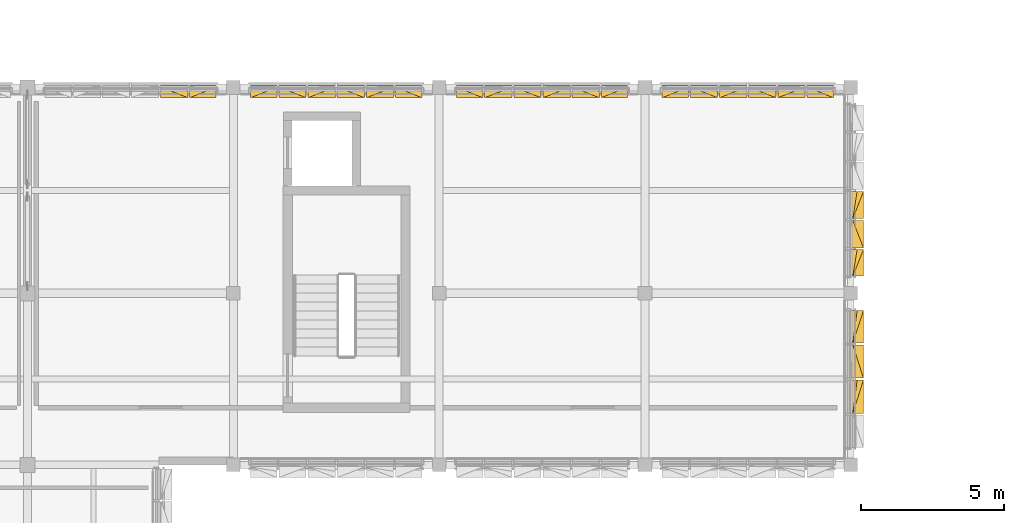
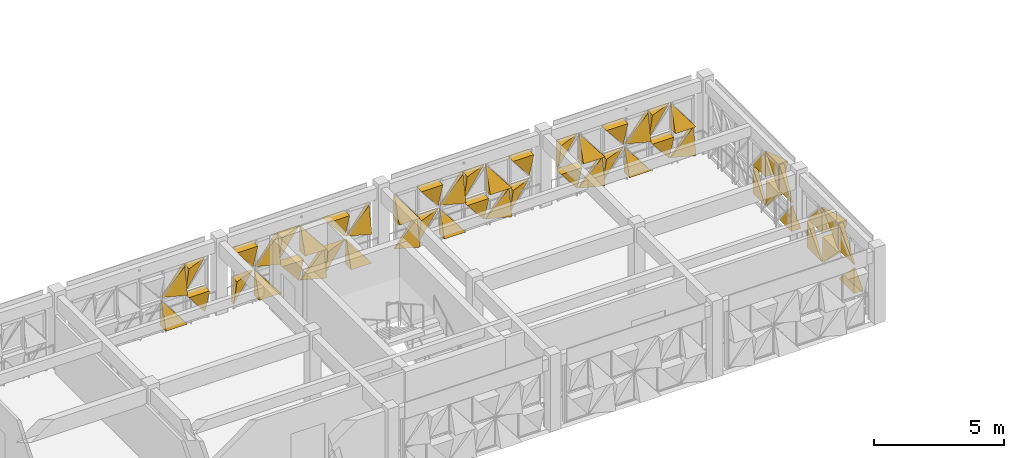
# One storey, part 47 of 48: 52 coverings.
"""IFC4 building model written with IfcOpenShell, lengths in metres."""

from ifc_helpers import new_model, si_unit, direction, frame, origin, place, context, subcontext, project, spatial, polygons, material, layer, layer_set, type_object, element, save


model = new_model("IFC4")

# Units and contexts
model_context = context("Model", 3, precision=1e-05, world=origin(), true_north=direction((0.0, 1.0)))
body_context = subcontext(model_context, "Body", "Model", "MODEL_VIEW")
ifc_project = project(units=[si_unit("LENGTHUNIT", "METRE"), si_unit("AREAUNIT", "SQUARE_METRE"), si_unit("VOLUMEUNIT", "CUBIC_METRE"), si_unit("PLANEANGLEUNIT", "RADIAN"), si_unit("MASSUNIT", "GRAM", prefix="KILO")], contexts=[model_context])

# Site, building, storey
site_placement = place(None, origin())
site = spatial("IfcSite", under=ifc_project, at=site_placement, CompositionType="ELEMENT")
building_placement = place(site_placement, origin())
building = spatial("IfcBuilding", under=site, at=building_placement, Name="Alvorim Cloister Faculty of Sciences", CompositionType="ELEMENT")
storey_placement = place(building_placement, frame((0.0, 0.0, 19.35009765625)))
storey = spatial("IfcBuildingStorey", under=building, at=storey_placement, Name="L05", CompositionType="ELEMENT", Elevation=19.35009765625)

# Coverings
ifc_material = material(Name="Perforated Bronze Alloy Sheet", Category="metal")
ifc_layer = layer(ifc_material, 0.0380859375)
ifc_layer_set = layer_set([ifc_layer], Name="Perforated Bronze Alloy Sheet")
covering_type = type_object("IfcCoveringType", Name="COV-TRI-BRZ", PredefinedType="CLADDING", material=ifc_layer_set)
covering_1_placement = place(storey_placement, frame((33.452392578125, 56.445068359375, 0.139892578125), z_axis=(0.0, 0.0, 1.0), x_axis=(1.0, 0.0, 0.0)))
element("IfcCovering", 1, at=covering_1_placement, inside=storey, type_object=covering_type, Name="Diagonal Solid Metal Triangle TRI-BL", PredefinedType="CLADDING", context=body_context, shape_type="Tessellation", body=[
    polygons([(0.0, 0.0260009765625, 0.0), (0.953078125, 0.0260009765625, 0.0), (0.0, 0.0260009765625, 1.213087890625), (0.0, -0.4, 0.0), (0.953078125, -0.4, 0.0), (0.0, -0.03, 1.213087890625)], [[[1, 3, 2]], [[4, 5, 6]], [[1, 2, 5, 4]], [[2, 3, 6, 5]], [[3, 1, 4, 6]]], closed=True),
])
covering_2_placement = place(storey_placement, frame((33.452392578125, 56.445068359375, 1.494873046875), z_axis=(0.0, 0.0, 1.0), x_axis=(1.0, 0.0, 0.0)))
element("IfcCovering", 2, at=covering_2_placement, inside=storey, type_object=covering_type, Name="Diagonal Solid Metal Triangle TRI-BR", PredefinedType="CLADDING", context=body_context, shape_type="Tessellation", body=[
    polygons([(0.002, 0.0260009765625, 0.0), (0.955078125, 0.0260009765625, 0.0), (0.955078125, 0.0260009765625, 1.213087890625), (0.002, -0.03, 0.0), (0.955078125, -0.4, 0.0), (0.955078125, -0.18000000000000002, 1.213087890625)], [[[1, 3, 2]], [[4, 5, 6]], [[1, 2, 5, 4]], [[2, 3, 6, 5]], [[3, 1, 4, 6]]], closed=True),
])
covering_3_placement = place(storey_placement, frame((34.472412109375, 56.445068359375, 0.139892578125), z_axis=(0.0, 0.0, 1.0), x_axis=(1.0, 0.0, 0.0)))
element("IfcCovering", 3, at=covering_3_placement, inside=storey, type_object=covering_type, Name="Diagonal Solid Metal Triangle TRI-TR", PredefinedType="CLADDING", context=body_context, shape_type="Tessellation", body=[
    polygons([(0.922607421875, 0.0260009765625, 0.002), (0.922607421875, 0.0260009765625, 1.215087890625), (0.002, 0.0260009765625, 1.215087890625), (0.922607421875, -0.03, 0.002), (0.922607421875, -0.4, 1.215087890625), (0.002, -0.4, 1.215087890625)], [[[1, 3, 2]], [[4, 5, 6]], [[1, 2, 5, 4]], [[2, 3, 6, 5]], [[3, 1, 4, 6]]], closed=True),
])
for number, where, z_axis, x_axis, name in (
    (4, (34.472412109375, 56.445068359375, 1.494873046875), (0.0, 0.0, 1.0), (1.0, 0.0, 0.0), "Diagonal Solid Metal Triangle TRI-TL"),
    (5, (36.60498046875, 56.445068359375, 0.139892578125), (0.0, 0.0, 1.0), (1.0, 0.0, 0.0), "Diagonal Solid Metal Triangle TRI-TL"),
):
    element("IfcCovering", number, at=place(storey_placement, frame(where, z_axis=z_axis, x_axis=x_axis)), inside=storey, type_object=covering_type, Name=name, PredefinedType="CLADDING", context=body_context, shape_type="Tessellation", body=[
        polygons([(0.920607421875, 0.0260009765625, 1.215087890625), (0.0, 0.0260009765625, 1.215087890625), (0.0, 0.0260009765625, 0.002), (0.920607421875, -0.03, 1.215087890625), (0.0, -0.4, 1.215087890625), (0.0, -0.13999999999999999, 0.002)], [[[1, 3, 2]], [[4, 5, 6]], [[1, 2, 5, 4]], [[2, 3, 6, 5]], [[3, 1, 4, 6]]], closed=True),
    ])
covering_4_placement = place(storey_placement, frame((36.60498046875, 56.445068359375, 1.494873046875), z_axis=(0.0, 0.0, 1.0), x_axis=(1.0, 0.0, 0.0)))
element("IfcCovering", 6, at=covering_4_placement, inside=storey, type_object=covering_type, Name="Diagonal Solid Metal Triangle TRI-TR", PredefinedType="CLADDING", context=body_context, shape_type="Tessellation", body=[
    polygons([(0.922607421875, 0.0260009765625, 0.002), (0.922607421875, 0.0260009765625, 1.215087890625), (0.002, 0.0260009765625, 1.215087890625), (0.922607421875, -0.03, 0.002), (0.922607421875, -0.4, 1.215087890625), (0.002, -0.4, 1.215087890625)], [[[1, 3, 2]], [[4, 5, 6]], [[1, 2, 5, 4]], [[2, 3, 6, 5]], [[3, 1, 4, 6]]], closed=True),
])
covering_5_placement = place(storey_placement, frame((37.592529296875, 56.445068359375, 0.139892578125), z_axis=(0.0, 0.0, 1.0), x_axis=(1.0, 0.0, 0.0)))
element("IfcCovering", 7, at=covering_5_placement, inside=storey, type_object=covering_type, Name="Diagonal Solid Metal Triangle TRI-BL", PredefinedType="CLADDING", context=body_context, shape_type="Tessellation", body=[
    polygons([(0.0, 0.0260009765625, 0.0), (0.953078125, 0.0260009765625, 0.0), (0.0, 0.0260009765625, 1.213087890625), (0.0, -0.4, 0.0), (0.953078125, -0.4, 0.0), (0.0, -0.03, 1.213087890625)], [[[1, 3, 2]], [[4, 5, 6]], [[1, 2, 5, 4]], [[2, 3, 6, 5]], [[3, 1, 4, 6]]], closed=True),
])
covering_6_placement = place(storey_placement, frame((37.592529296875, 56.445068359375, 1.494873046875), z_axis=(0.0, 0.0, 1.0), x_axis=(1.0, 0.0, 0.0)))
element("IfcCovering", 8, at=covering_6_placement, inside=storey, type_object=covering_type, Name="Diagonal Solid Metal Triangle TRI-BR", PredefinedType="CLADDING", context=body_context, shape_type="Tessellation", body=[
    polygons([(0.002, 0.0260009765625, 0.0), (0.955078125, 0.0260009765625, 0.0), (0.955078125, 0.0260009765625, 1.213087890625), (0.002, -0.03, 0.0), (0.955078125, -0.4, 0.0), (0.955078125, -0.18000000000000002, 1.213087890625)], [[[1, 3, 2]], [[4, 5, 6]], [[1, 2, 5, 4]], [[2, 3, 6, 5]], [[3, 1, 4, 6]]], closed=True),
])
covering_7_placement = place(storey_placement, frame((38.612548828125, 56.445068359375, 0.139892578125), z_axis=(0.0, 0.0, 1.0), x_axis=(1.0, 0.0, 0.0)))
element("IfcCovering", 9, at=covering_7_placement, inside=storey, type_object=covering_type, Name="Diagonal Solid Metal Triangle TRI-TR", PredefinedType="CLADDING", context=body_context, shape_type="Tessellation", body=[
    polygons([(0.955078125, 0.0260009765625, 0.002), (0.955078125, 0.0260009765625, 1.215087890625), (0.002, 0.0260009765625, 1.215087890625), (0.955078125, -0.03, 0.002), (0.955078125, -0.4, 1.215087890625), (0.002, -0.4, 1.215087890625)], [[[1, 3, 2]], [[4, 5, 6]], [[1, 2, 5, 4]], [[2, 3, 6, 5]], [[3, 1, 4, 6]]], closed=True),
])
covering_8_placement = place(storey_placement, frame((38.612548828125, 56.445068359375, 1.494873046875), z_axis=(0.0, 0.0, 1.0), x_axis=(1.0, 0.0, 0.0)))
element("IfcCovering", 10, at=covering_8_placement, inside=storey, type_object=covering_type, Name="Diagonal Solid Metal Triangle TRI-TL", PredefinedType="CLADDING", context=body_context, shape_type="Tessellation", body=[
    polygons([(0.953078125, 0.0260009765625, 1.215087890625), (0.0, 0.0260009765625, 1.215087890625), (0.0, 0.0260009765625, 0.002), (0.953078125, -0.03, 1.215087890625), (0.0, -0.4, 1.215087890625), (0.0, -0.13999999999999999, 0.002)], [[[1, 3, 2]], [[4, 5, 6]], [[1, 2, 5, 4]], [[2, 3, 6, 5]], [[3, 1, 4, 6]]], closed=True),
])
covering_9_placement = place(storey_placement, frame((39.632568359375, 56.445068359375, 0.139892578125), z_axis=(0.0, 0.0, 1.0), x_axis=(1.0, 0.0, 0.0)))
element("IfcCovering", 11, at=covering_9_placement, inside=storey, type_object=covering_type, Name="Diagonal Solid Metal Triangle TRI-BR", PredefinedType="CLADDING", context=body_context, shape_type="Tessellation", body=[
    polygons([(0.002, 0.0260009765625, 0.0), (0.955078125, 0.0260009765625, 0.0), (0.955078125, 0.0260009765625, 1.213087890625), (0.002, -0.03, 0.0), (0.955078125, -0.4, 0.0), (0.955078125, -0.18000000000000002, 1.213087890625)], [[[1, 3, 2]], [[4, 5, 6]], [[1, 2, 5, 4]], [[2, 3, 6, 5]], [[3, 1, 4, 6]]], closed=True),
])
covering_10_placement = place(storey_placement, frame((39.632568359375, 56.445068359375, 1.494873046875), z_axis=(0.0, 0.0, 1.0), x_axis=(1.0, 0.0, 0.0)))
element("IfcCovering", 12, at=covering_10_placement, inside=storey, type_object=covering_type, Name="Diagonal Solid Metal Triangle TRI-BL", PredefinedType="CLADDING", context=body_context, shape_type="Tessellation", body=[
    polygons([(0.0, 0.0260009765625, 0.0), (0.953078125, 0.0260009765625, 0.0), (0.0, 0.0260009765625, 1.213087890625), (0.0, -0.4, 0.0), (0.953078125, -0.4, 0.0), (0.0, -0.03, 1.213087890625)], [[[1, 3, 2]], [[4, 5, 6]], [[1, 2, 5, 4]], [[2, 3, 6, 5]], [[3, 1, 4, 6]]], closed=True),
])
covering_11_placement = place(storey_placement, frame((40.652587890625, 56.445068359375, 0.139892578125), z_axis=(0.0, 0.0, 1.0), x_axis=(1.0, 0.0, 0.0)))
element("IfcCovering", 13, at=covering_11_placement, inside=storey, type_object=covering_type, Name="Diagonal Solid Metal Triangle TRI-TL", PredefinedType="CLADDING", context=body_context, shape_type="Tessellation", body=[
    polygons([(0.953078125, 0.0260009765625, 1.215087890625), (0.0, 0.0260009765625, 1.215087890625), (0.0, 0.0260009765625, 0.002), (0.953078125, -0.03, 1.215087890625), (0.0, -0.4, 1.215087890625), (0.0, -0.13999999999999999, 0.002)], [[[1, 3, 2]], [[4, 5, 6]], [[1, 2, 5, 4]], [[2, 3, 6, 5]], [[3, 1, 4, 6]]], closed=True),
])
covering_12_placement = place(storey_placement, frame((40.652587890625, 56.445068359375, 1.494873046875), z_axis=(0.0, 0.0, 1.0), x_axis=(1.0, 0.0, 0.0)))
element("IfcCovering", 14, at=covering_12_placement, inside=storey, type_object=covering_type, Name="Diagonal Solid Metal Triangle TRI-TR", PredefinedType="CLADDING", context=body_context, shape_type="Tessellation", body=[
    polygons([(0.955078125, 0.0260009765625, 0.002), (0.955078125, 0.0260009765625, 1.215087890625), (0.002, 0.0260009765625, 1.215087890625), (0.955078125, -0.03, 0.002), (0.955078125, -0.4, 1.215087890625), (0.002, -0.4, 1.215087890625)], [[[1, 3, 2]], [[4, 5, 6]], [[1, 2, 5, 4]], [[2, 3, 6, 5]], [[3, 1, 4, 6]]], closed=True),
])
covering_13_placement = place(storey_placement, frame((41.672607421875, 56.445068359375, 0.139892578125), z_axis=(0.0, 0.0, 1.0), x_axis=(1.0, 0.0, 0.0)))
element("IfcCovering", 15, at=covering_13_placement, inside=storey, type_object=covering_type, Name="Diagonal Solid Metal Triangle TRI-BL", PredefinedType="CLADDING", context=body_context, shape_type="Tessellation", body=[
    polygons([(0.0, 0.0260009765625, 0.0), (0.920607421875, 0.0260009765625, 0.0), (0.0, 0.0260009765625, 1.213087890625), (0.0, -0.4, 0.0), (0.920607421875, -0.4, 0.0), (0.0, -0.03, 1.213087890625)], [[[1, 3, 2]], [[4, 5, 6]], [[1, 2, 5, 4]], [[2, 3, 6, 5]], [[3, 1, 4, 6]]], closed=True),
])
for number, where, z_axis, x_axis, name in (
    (16, (41.672607421875, 56.445068359375, 1.494873046875), (0.0, 0.0, 1.0), (1.0, 0.0, 0.0), "Diagonal Solid Metal Triangle TRI-BR"),
    (17, (43.804931640625, 56.445068359375, 0.139892578125), (0.0, 0.0, 1.0), (1.0, 0.0, 0.0), "Diagonal Solid Metal Triangle TRI-BR"),
):
    element("IfcCovering", number, at=place(storey_placement, frame(where, z_axis=z_axis, x_axis=x_axis)), inside=storey, type_object=covering_type, Name=name, PredefinedType="CLADDING", context=body_context, shape_type="Tessellation", body=[
        polygons([(0.002, 0.0260009765625, 0.0), (0.922607421875, 0.0260009765625, 0.0), (0.922607421875, 0.0260009765625, 1.213087890625), (0.002, -0.03, 0.0), (0.922607421875, -0.4, 0.0), (0.922607421875, -0.18000000000000002, 1.213087890625)], [[[1, 3, 2]], [[4, 5, 6]], [[1, 2, 5, 4]], [[2, 3, 6, 5]], [[3, 1, 4, 6]]], closed=True),
    ])
covering_14_placement = place(storey_placement, frame((43.804931640625, 56.445068359375, 1.494873046875), z_axis=(0.0, 0.0, 1.0), x_axis=(1.0, 0.0, 0.0)))
element("IfcCovering", 18, at=covering_14_placement, inside=storey, type_object=covering_type, Name="Diagonal Solid Metal Triangle TRI-BL", PredefinedType="CLADDING", context=body_context, shape_type="Tessellation", body=[
    polygons([(0.0, 0.0260009765625, 0.0), (0.920607421875, 0.0260009765625, 0.0), (0.0, 0.0260009765625, 1.213087890625), (0.0, -0.4, 0.0), (0.920607421875, -0.4, 0.0), (0.0, -0.03, 1.213087890625)], [[[1, 3, 2]], [[4, 5, 6]], [[1, 2, 5, 4]], [[2, 3, 6, 5]], [[3, 1, 4, 6]]], closed=True),
])
covering_15_placement = place(storey_placement, frame((44.79248046875, 56.445068359375, 0.139892578125), z_axis=(0.0, 0.0, 1.0), x_axis=(1.0, 0.0, 0.0)))
element("IfcCovering", 19, at=covering_15_placement, inside=storey, type_object=covering_type, Name="Diagonal Solid Metal Triangle TRI-TL", PredefinedType="CLADDING", context=body_context, shape_type="Tessellation", body=[
    polygons([(0.953078125, 0.0260009765625, 1.215087890625), (0.0, 0.0260009765625, 1.215087890625), (0.0, 0.0260009765625, 0.002), (0.953078125, -0.03, 1.215087890625), (0.0, -0.4, 1.215087890625), (0.0, -0.13999999999999999, 0.002)], [[[1, 3, 2]], [[4, 5, 6]], [[1, 2, 5, 4]], [[2, 3, 6, 5]], [[3, 1, 4, 6]]], closed=True),
])
covering_16_placement = place(storey_placement, frame((44.79248046875, 56.445068359375, 1.494873046875), z_axis=(0.0, 0.0, 1.0), x_axis=(1.0, 0.0, 0.0)))
element("IfcCovering", 20, at=covering_16_placement, inside=storey, type_object=covering_type, Name="Diagonal Solid Metal Triangle TRI-TR", PredefinedType="CLADDING", context=body_context, shape_type="Tessellation", body=[
    polygons([(0.955078125, 0.0260009765625, 0.002), (0.955078125, 0.0260009765625, 1.215087890625), (0.002, 0.0260009765625, 1.215087890625), (0.955078125, -0.03, 0.002), (0.955078125, -0.4, 1.215087890625), (0.002, -0.4, 1.215087890625)], [[[1, 3, 2]], [[4, 5, 6]], [[1, 2, 5, 4]], [[2, 3, 6, 5]], [[3, 1, 4, 6]]], closed=True),
])
covering_17_placement = place(storey_placement, frame((45.8125, 56.445068359375, 0.139892578125), z_axis=(0.0, 0.0, 1.0), x_axis=(1.0, 0.0, 0.0)))
element("IfcCovering", 21, at=covering_17_placement, inside=storey, type_object=covering_type, Name="Diagonal Solid Metal Triangle TRI-BL", PredefinedType="CLADDING", context=body_context, shape_type="Tessellation", body=[
    polygons([(0.0, 0.0260009765625, 0.0), (0.953078125, 0.0260009765625, 0.0), (0.0, 0.0260009765625, 1.213087890625), (0.0, -0.4, 0.0), (0.953078125, -0.4, 0.0), (0.0, -0.03, 1.213087890625)], [[[1, 3, 2]], [[4, 5, 6]], [[1, 2, 5, 4]], [[2, 3, 6, 5]], [[3, 1, 4, 6]]], closed=True),
])
covering_18_placement = place(storey_placement, frame((45.8125, 56.445068359375, 1.494873046875), z_axis=(0.0, 0.0, 1.0), x_axis=(1.0, 0.0, 0.0)))
element("IfcCovering", 22, at=covering_18_placement, inside=storey, type_object=covering_type, Name="Diagonal Solid Metal Triangle TRI-BR", PredefinedType="CLADDING", context=body_context, shape_type="Tessellation", body=[
    polygons([(0.002, 0.0260009765625, 0.0), (0.955078125, 0.0260009765625, 0.0), (0.955078125, 0.0260009765625, 1.213087890625), (0.002, -0.03, 0.0), (0.955078125, -0.4, 0.0), (0.955078125, -0.18000000000000002, 1.213087890625)], [[[1, 3, 2]], [[4, 5, 6]], [[1, 2, 5, 4]], [[2, 3, 6, 5]], [[3, 1, 4, 6]]], closed=True),
])
covering_19_placement = place(storey_placement, frame((46.83251953125, 56.445068359375, 0.139892578125), z_axis=(0.0, 0.0, 1.0), x_axis=(1.0, 0.0, 0.0)))
element("IfcCovering", 23, at=covering_19_placement, inside=storey, type_object=covering_type, Name="Diagonal Solid Metal Triangle TRI-TR", PredefinedType="CLADDING", context=body_context, shape_type="Tessellation", body=[
    polygons([(0.955078125, 0.0260009765625, 0.002), (0.955078125, 0.0260009765625, 1.215087890625), (0.002, 0.0260009765625, 1.215087890625), (0.955078125, -0.03, 0.002), (0.955078125, -0.4, 1.215087890625), (0.002, -0.4, 1.215087890625)], [[[1, 3, 2]], [[4, 5, 6]], [[1, 2, 5, 4]], [[2, 3, 6, 5]], [[3, 1, 4, 6]]], closed=True),
])
covering_20_placement = place(storey_placement, frame((46.83251953125, 56.445068359375, 1.494873046875), z_axis=(0.0, 0.0, 1.0), x_axis=(1.0, 0.0, 0.0)))
element("IfcCovering", 24, at=covering_20_placement, inside=storey, type_object=covering_type, Name="Diagonal Solid Metal Triangle TRI-TL", PredefinedType="CLADDING", context=body_context, shape_type="Tessellation", body=[
    polygons([(0.953078125, 0.0260009765625, 1.215087890625), (0.0, 0.0260009765625, 1.215087890625), (0.0, 0.0260009765625, 0.002), (0.953078125, -0.03, 1.215087890625), (0.0, -0.4, 1.215087890625), (0.0, -0.13999999999999999, 0.002)], [[[1, 3, 2]], [[4, 5, 6]], [[1, 2, 5, 4]], [[2, 3, 6, 5]], [[3, 1, 4, 6]]], closed=True),
])
covering_21_placement = place(storey_placement, frame((47.8525390625, 56.445068359375, 0.139892578125), z_axis=(0.0, 0.0, 1.0), x_axis=(1.0, 0.0, 0.0)))
element("IfcCovering", 25, at=covering_21_placement, inside=storey, type_object=covering_type, Name="Diagonal Solid Metal Triangle TRI-BR", PredefinedType="CLADDING", context=body_context, shape_type="Tessellation", body=[
    polygons([(0.002, 0.0260009765625, 0.0), (0.955078125, 0.0260009765625, 0.0), (0.955078125, 0.0260009765625, 1.213087890625), (0.002, -0.03, 0.0), (0.955078125, -0.4, 0.0), (0.955078125, -0.18000000000000002, 1.213087890625)], [[[1, 3, 2]], [[4, 5, 6]], [[1, 2, 5, 4]], [[2, 3, 6, 5]], [[3, 1, 4, 6]]], closed=True),
])
covering_22_placement = place(storey_placement, frame((47.8525390625, 56.445068359375, 1.494873046875), z_axis=(0.0, 0.0, 1.0), x_axis=(1.0, 0.0, 0.0)))
element("IfcCovering", 26, at=covering_22_placement, inside=storey, type_object=covering_type, Name="Diagonal Solid Metal Triangle TRI-BL", PredefinedType="CLADDING", context=body_context, shape_type="Tessellation", body=[
    polygons([(0.0, 0.0260009765625, 0.0), (0.953078125, 0.0260009765625, 0.0), (0.0, 0.0260009765625, 1.213087890625), (0.0, -0.4, 0.0), (0.953078125, -0.4, 0.0), (0.0, -0.03, 1.213087890625)], [[[1, 3, 2]], [[4, 5, 6]], [[1, 2, 5, 4]], [[2, 3, 6, 5]], [[3, 1, 4, 6]]], closed=True),
])
covering_23_placement = place(storey_placement, frame((48.87255859375, 56.445068359375, 0.139892578125), z_axis=(0.0, 0.0, 1.0), x_axis=(1.0, 0.0, 0.0)))
element("IfcCovering", 27, at=covering_23_placement, inside=storey, type_object=covering_type, Name="Diagonal Solid Metal Triangle TRI-TL", PredefinedType="CLADDING", context=body_context, shape_type="Tessellation", body=[
    polygons([(0.920607421875, 0.0260009765625, 1.215087890625), (0.0, 0.0260009765625, 1.215087890625), (0.0, 0.0260009765625, 0.002), (0.920607421875, -0.03, 1.215087890625), (0.0, -0.4, 1.215087890625), (0.0, -0.13999999999999999, 0.002)], [[[1, 3, 2]], [[4, 5, 6]], [[1, 2, 5, 4]], [[2, 3, 6, 5]], [[3, 1, 4, 6]]], closed=True),
])
for number, where, z_axis, x_axis, name in (
    (28, (48.87255859375, 56.445068359375, 1.494873046875), (0.0, 0.0, 1.0), (1.0, 0.0, 0.0), "Diagonal Solid Metal Triangle TRI-TR"),
    (29, (51.0048828125, 56.445068359375, 0.139892578125), (0.0, 0.0, 1.0), (1.0, 0.0, 0.0), "Diagonal Solid Metal Triangle TRI-TR"),
):
    element("IfcCovering", number, at=place(storey_placement, frame(where, z_axis=z_axis, x_axis=x_axis)), inside=storey, type_object=covering_type, Name=name, PredefinedType="CLADDING", context=body_context, shape_type="Tessellation", body=[
        polygons([(0.922607421875, 0.0260009765625, 0.002), (0.922607421875, 0.0260009765625, 1.215087890625), (0.002, 0.0260009765625, 1.215087890625), (0.922607421875, -0.03, 0.002), (0.922607421875, -0.4, 1.215087890625), (0.002, -0.4, 1.215087890625)], [[[1, 3, 2]], [[4, 5, 6]], [[1, 2, 5, 4]], [[2, 3, 6, 5]], [[3, 1, 4, 6]]], closed=True),
    ])
covering_24_placement = place(storey_placement, frame((51.0048828125, 56.445068359375, 1.494873046875), z_axis=(0.0, 0.0, 1.0), x_axis=(1.0, 0.0, 0.0)))
element("IfcCovering", 30, at=covering_24_placement, inside=storey, type_object=covering_type, Name="Diagonal Solid Metal Triangle TRI-TL", PredefinedType="CLADDING", context=body_context, shape_type="Tessellation", body=[
    polygons([(0.920607421875, 0.0260009765625, 1.215087890625), (0.0, 0.0260009765625, 1.215087890625), (0.0, 0.0260009765625, 0.002), (0.920607421875, -0.03, 1.215087890625), (0.0, -0.4, 1.215087890625), (0.0, -0.13999999999999999, 0.002)], [[[1, 3, 2]], [[4, 5, 6]], [[1, 2, 5, 4]], [[2, 3, 6, 5]], [[3, 1, 4, 6]]], closed=True),
])
covering_25_placement = place(storey_placement, frame((51.992431640625, 56.445068359375, 0.139892578125), z_axis=(0.0, 0.0, 1.0), x_axis=(1.0, 0.0, 0.0)))
element("IfcCovering", 31, at=covering_25_placement, inside=storey, type_object=covering_type, Name="Diagonal Solid Metal Triangle TRI-BR", PredefinedType="CLADDING", context=body_context, shape_type="Tessellation", body=[
    polygons([(0.002, 0.0260009765625, 0.0), (0.955078125, 0.0260009765625, 0.0), (0.955078125, 0.0260009765625, 1.213087890625), (0.002, -0.03, 0.0), (0.955078125, -0.4, 0.0), (0.955078125, -0.18000000000000002, 1.213087890625)], [[[1, 3, 2]], [[4, 5, 6]], [[1, 2, 5, 4]], [[2, 3, 6, 5]], [[3, 1, 4, 6]]], closed=True),
])
covering_26_placement = place(storey_placement, frame((51.992431640625, 56.445068359375, 1.494873046875), z_axis=(0.0, 0.0, 1.0), x_axis=(1.0, 0.0, 0.0)))
element("IfcCovering", 32, at=covering_26_placement, inside=storey, type_object=covering_type, Name="Diagonal Solid Metal Triangle TRI-BL", PredefinedType="CLADDING", context=body_context, shape_type="Tessellation", body=[
    polygons([(0.0, 0.0260009765625, 0.0), (0.953078125, 0.0260009765625, 0.0), (0.0, 0.0260009765625, 1.213087890625), (0.0, -0.4, 0.0), (0.953078125, -0.4, 0.0), (0.0, -0.03, 1.213087890625)], [[[1, 3, 2]], [[4, 5, 6]], [[1, 2, 5, 4]], [[2, 3, 6, 5]], [[3, 1, 4, 6]]], closed=True),
])
covering_27_placement = place(storey_placement, frame((53.012451171875, 56.445068359375, 0.139892578125), z_axis=(0.0, 0.0, 1.0), x_axis=(1.0, 0.0, 0.0)))
element("IfcCovering", 33, at=covering_27_placement, inside=storey, type_object=covering_type, Name="Diagonal Solid Metal Triangle TRI-TL", PredefinedType="CLADDING", context=body_context, shape_type="Tessellation", body=[
    polygons([(0.953078125, 0.0260009765625, 1.215087890625), (0.0, 0.0260009765625, 1.215087890625), (0.0, 0.0260009765625, 0.002), (0.953078125, -0.03, 1.215087890625), (0.0, -0.4, 1.215087890625), (0.0, -0.13999999999999999, 0.002)], [[[1, 3, 2]], [[4, 5, 6]], [[1, 2, 5, 4]], [[2, 3, 6, 5]], [[3, 1, 4, 6]]], closed=True),
])
covering_28_placement = place(storey_placement, frame((53.012451171875, 56.445068359375, 1.494873046875), z_axis=(0.0, 0.0, 1.0), x_axis=(1.0, 0.0, 0.0)))
element("IfcCovering", 34, at=covering_28_placement, inside=storey, type_object=covering_type, Name="Diagonal Solid Metal Triangle TRI-TR", PredefinedType="CLADDING", context=body_context, shape_type="Tessellation", body=[
    polygons([(0.955078125, 0.0260009765625, 0.002), (0.955078125, 0.0260009765625, 1.215087890625), (0.002, 0.0260009765625, 1.215087890625), (0.955078125, -0.03, 0.002), (0.955078125, -0.4, 1.215087890625), (0.002, -0.4, 1.215087890625)], [[[1, 3, 2]], [[4, 5, 6]], [[1, 2, 5, 4]], [[2, 3, 6, 5]], [[3, 1, 4, 6]]], closed=True),
])
covering_29_placement = place(storey_placement, frame((54.032470703125, 56.445068359375, 0.139892578125), z_axis=(0.0, 0.0, 1.0), x_axis=(1.0, 0.0, 0.0)))
element("IfcCovering", 35, at=covering_29_placement, inside=storey, type_object=covering_type, Name="Diagonal Solid Metal Triangle TRI-BL", PredefinedType="CLADDING", context=body_context, shape_type="Tessellation", body=[
    polygons([(0.0, 0.0260009765625, 0.0), (0.953078125, 0.0260009765625, 0.0), (0.0, 0.0260009765625, 1.213087890625), (0.0, -0.4, 0.0), (0.953078125, -0.4, 0.0), (0.0, -0.03, 1.213087890625)], [[[1, 3, 2]], [[4, 5, 6]], [[1, 2, 5, 4]], [[2, 3, 6, 5]], [[3, 1, 4, 6]]], closed=True),
])
covering_30_placement = place(storey_placement, frame((54.032470703125, 56.445068359375, 1.494873046875), z_axis=(0.0, 0.0, 1.0), x_axis=(1.0, 0.0, 0.0)))
element("IfcCovering", 36, at=covering_30_placement, inside=storey, type_object=covering_type, Name="Diagonal Solid Metal Triangle TRI-BR", PredefinedType="CLADDING", context=body_context, shape_type="Tessellation", body=[
    polygons([(0.002, 0.0260009765625, 0.0), (0.955078125, 0.0260009765625, 0.0), (0.955078125, 0.0260009765625, 1.213087890625), (0.002, -0.03, 0.0), (0.955078125, -0.4, 0.0), (0.955078125, -0.18000000000000002, 1.213087890625)], [[[1, 3, 2]], [[4, 5, 6]], [[1, 2, 5, 4]], [[2, 3, 6, 5]], [[3, 1, 4, 6]]], closed=True),
])
covering_31_placement = place(storey_placement, frame((55.052490234375, 56.445068359375, 0.139892578125), z_axis=(0.0, 0.0, 1.0), x_axis=(1.0, 0.0, 0.0)))
element("IfcCovering", 37, at=covering_31_placement, inside=storey, type_object=covering_type, Name="Diagonal Solid Metal Triangle TRI-TR", PredefinedType="CLADDING", context=body_context, shape_type="Tessellation", body=[
    polygons([(0.955078125, 0.0260009765625, 0.002), (0.955078125, 0.0260009765625, 1.215087890625), (0.002, 0.0260009765625, 1.215087890625), (0.955078125, -0.03, 0.002), (0.955078125, -0.4, 1.215087890625), (0.002, -0.4, 1.215087890625)], [[[1, 3, 2]], [[4, 5, 6]], [[1, 2, 5, 4]], [[2, 3, 6, 5]], [[3, 1, 4, 6]]], closed=True),
])
covering_32_placement = place(storey_placement, frame((55.052490234375, 56.445068359375, 1.494873046875), z_axis=(0.0, 0.0, 1.0), x_axis=(1.0, 0.0, 0.0)))
element("IfcCovering", 38, at=covering_32_placement, inside=storey, type_object=covering_type, Name="Diagonal Solid Metal Triangle TRI-TL", PredefinedType="CLADDING", context=body_context, shape_type="Tessellation", body=[
    polygons([(0.953078125, 0.0260009765625, 1.215087890625), (0.0, 0.0260009765625, 1.215087890625), (0.0, 0.0260009765625, 0.002), (0.953078125, -0.03, 1.215087890625), (0.0, -0.4, 1.215087890625), (0.0, -0.13999999999999999, 0.002)], [[[1, 3, 2]], [[4, 5, 6]], [[1, 2, 5, 4]], [[2, 3, 6, 5]], [[3, 1, 4, 6]]], closed=True),
])
covering_33_placement = place(storey_placement, frame((56.072509765625, 56.445068359375, 0.139892578125), z_axis=(0.0, 0.0, 1.0), x_axis=(1.0, 0.0, 0.0)))
element("IfcCovering", 39, at=covering_33_placement, inside=storey, type_object=covering_type, Name="Diagonal Solid Metal Triangle TRI-BR", PredefinedType="CLADDING", context=body_context, shape_type="Tessellation", body=[
    polygons([(0.002, 0.0260009765625, 0.0), (0.922607421875, 0.0260009765625, 0.0), (0.922607421875, 0.0260009765625, 1.213087890625), (0.002, -0.03, 0.0), (0.922607421875, -0.4, 0.0), (0.922607421875, -0.18000000000000002, 1.213087890625)], [[[1, 3, 2]], [[4, 5, 6]], [[1, 2, 5, 4]], [[2, 3, 6, 5]], [[3, 1, 4, 6]]], closed=True),
])
for number, where, z_axis, x_axis, name in (
    (40, (56.072509765625, 56.445068359375, 1.494873046875), (0.0, 0.0, 1.0), (1.0, 0.0, 0.0), "Diagonal Solid Metal Triangle TRI-BL"),
    (41, (57.64501953125, 49.804931640625, 0.139892578125), (0.0, 0.0, 1.0), (0.0, 1.0, 0.0), "Diagonal Solid Metal Triangle TRI-BL"),
):
    element("IfcCovering", number, at=place(storey_placement, frame(where, z_axis=z_axis, x_axis=x_axis)), inside=storey, type_object=covering_type, Name=name, PredefinedType="CLADDING", context=body_context, shape_type="Tessellation", body=[
        polygons([(0.0, 0.0260009765625, 0.0), (0.920607421875, 0.0260009765625, 0.0), (0.0, 0.0260009765625, 1.213087890625), (0.0, -0.4, 0.0), (0.920607421875, -0.4, 0.0), (0.0, -0.03, 1.213087890625)], [[[1, 3, 2]], [[4, 5, 6]], [[1, 2, 5, 4]], [[2, 3, 6, 5]], [[3, 1, 4, 6]]], closed=True),
    ])
covering_34_placement = place(storey_placement, frame((57.64501953125, 49.804931640625, 1.494873046875), z_axis=(0.0, 0.0, 1.0), x_axis=(0.0, 1.0, 0.0)))
element("IfcCovering", 42, at=covering_34_placement, inside=storey, type_object=covering_type, Name="Diagonal Solid Metal Triangle TRI-BR", PredefinedType="CLADDING", context=body_context, shape_type="Tessellation", body=[
    polygons([(0.002, 0.0260009765625, 0.0), (0.922607421875, 0.0260009765625, 0.0), (0.922607421875, 0.0260009765625, 1.213087890625), (0.002, -0.03, 0.0), (0.922607421875, -0.4, 0.0), (0.922607421875, -0.18000000000000002, 1.213087890625)], [[[1, 3, 2]], [[4, 5, 6]], [[1, 2, 5, 4]], [[2, 3, 6, 5]], [[3, 1, 4, 6]]], closed=True),
])
covering_35_placement = place(storey_placement, frame((57.64501953125, 50.79248046875, 0.139892578125), z_axis=(0.0, 0.0, 1.0), x_axis=(0.0, 1.0, 0.0)))
element("IfcCovering", 43, at=covering_35_placement, inside=storey, type_object=covering_type, Name="Diagonal Solid Metal Triangle TRI-TR", PredefinedType="CLADDING", context=body_context, shape_type="Tessellation", body=[
    polygons([(0.955078125, 0.0260009765625, 0.002), (0.955078125, 0.0260009765625, 1.215087890625), (0.002, 0.0260009765625, 1.215087890625), (0.955078125, -0.03, 0.002), (0.955078125, -0.4, 1.215087890625), (0.002, -0.4, 1.215087890625)], [[[1, 3, 2]], [[4, 5, 6]], [[1, 2, 5, 4]], [[2, 3, 6, 5]], [[3, 1, 4, 6]]], closed=True),
])
covering_36_placement = place(storey_placement, frame((57.64501953125, 50.79248046875, 1.494873046875), z_axis=(0.0, 0.0, 1.0), x_axis=(0.0, 1.0, 0.0)))
element("IfcCovering", 44, at=covering_36_placement, inside=storey, type_object=covering_type, Name="Diagonal Solid Metal Triangle TRI-TL", PredefinedType="CLADDING", context=body_context, shape_type="Tessellation", body=[
    polygons([(0.953078125, 0.0260009765625, 1.215087890625), (0.0, 0.0260009765625, 1.215087890625), (0.0, 0.0260009765625, 0.002), (0.953078125, -0.03, 1.215087890625), (0.0, -0.4, 1.215087890625), (0.0, -0.13999999999999999, 0.002)], [[[1, 3, 2]], [[4, 5, 6]], [[1, 2, 5, 4]], [[2, 3, 6, 5]], [[3, 1, 4, 6]]], closed=True),
])
covering_37_placement = place(storey_placement, frame((57.64501953125, 51.8125, 0.139892578125), z_axis=(0.0, 0.0, 1.0), x_axis=(0.0, 1.0, 0.0)))
element("IfcCovering", 45, at=covering_37_placement, inside=storey, type_object=covering_type, Name="Diagonal Solid Metal Triangle TRI-BR", PredefinedType="CLADDING", context=body_context, shape_type="Tessellation", body=[
    polygons([(0.002, 0.0260009765625, 0.0), (0.955078125, 0.0260009765625, 0.0), (0.955078125, 0.0260009765625, 1.213087890625), (0.002, -0.03, 0.0), (0.955078125, -0.4, 0.0), (0.955078125, -0.18000000000000002, 1.213087890625)], [[[1, 3, 2]], [[4, 5, 6]], [[1, 2, 5, 4]], [[2, 3, 6, 5]], [[3, 1, 4, 6]]], closed=True),
])
covering_38_placement = place(storey_placement, frame((57.64501953125, 51.8125, 1.494873046875), z_axis=(0.0, 0.0, 1.0), x_axis=(0.0, 1.0, 0.0)))
element("IfcCovering", 46, at=covering_38_placement, inside=storey, type_object=covering_type, Name="Diagonal Solid Metal Triangle TRI-BL", PredefinedType="CLADDING", context=body_context, shape_type="Tessellation", body=[
    polygons([(0.0, 0.0260009765625, 0.0), (0.953078125, 0.0260009765625, 0.0), (0.0, 0.0260009765625, 1.213087890625), (0.0, -0.4, 0.0), (0.953078125, -0.4, 0.0), (0.0, -0.03, 1.213087890625)], [[[1, 3, 2]], [[4, 5, 6]], [[1, 2, 5, 4]], [[2, 3, 6, 5]], [[3, 1, 4, 6]]], closed=True),
])
covering_39_placement = place(storey_placement, frame((57.64501953125, 45.00244140625, 0.139892578125), z_axis=(0.0, 0.0, 1.0), x_axis=(0.0, 1.0, 0.0)))
element("IfcCovering", 47, at=covering_39_placement, inside=storey, type_object=covering_type, Name="Diagonal Solid Metal Triangle TRI-BL", PredefinedType="CLADDING", context=body_context, shape_type="Tessellation", body=[
    polygons([(0.0, 0.0260009765625, 0.0), (1.1630390625, 0.0260009765625, 0.0), (0.0, 0.0260009765625, 1.213087890625), (0.0, -0.4, 0.0), (1.1630390625, -0.4, 0.0), (0.0, -0.03, 1.213087890625)], [[[1, 3, 2]], [[4, 5, 6]], [[1, 2, 5, 4]], [[2, 3, 6, 5]], [[3, 1, 4, 6]]], closed=True),
])
covering_40_placement = place(storey_placement, frame((57.64501953125, 45.00244140625, 1.494873046875), z_axis=(0.0, 0.0, 1.0), x_axis=(0.0, 1.0, 0.0)))
element("IfcCovering", 48, at=covering_40_placement, inside=storey, type_object=covering_type, Name="Diagonal Solid Metal Triangle TRI-BR", PredefinedType="CLADDING", context=body_context, shape_type="Tessellation", body=[
    polygons([(0.002, 0.0260009765625, 0.0), (1.1650390625, 0.0260009765625, 0.0), (1.1650390625, 0.0260009765625, 1.213087890625), (0.002, -0.03, 0.0), (1.1650390625, -0.4, 0.0), (1.1650390625, -0.18000000000000002, 1.213087890625)], [[[1, 3, 2]], [[4, 5, 6]], [[1, 2, 5, 4]], [[2, 3, 6, 5]], [[3, 1, 4, 6]]], closed=True),
])
covering_41_placement = place(storey_placement, frame((57.64501953125, 46.232421875, 0.139892578125), z_axis=(0.0, 0.0, 1.0), x_axis=(0.0, 1.0, 0.0)))
element("IfcCovering", 49, at=covering_41_placement, inside=storey, type_object=covering_type, Name="Diagonal Solid Metal Triangle TRI-TR", PredefinedType="CLADDING", context=body_context, shape_type="Tessellation", body=[
    polygons([(1.1650390625, 0.0260009765625, 0.002), (1.1650390625, 0.0260009765625, 1.215087890625), (0.002, 0.0260009765625, 1.215087890625), (1.1650390625, -0.03, 0.002), (1.1650390625, -0.4, 1.215087890625), (0.002, -0.4, 1.215087890625)], [[[1, 3, 2]], [[4, 5, 6]], [[1, 2, 5, 4]], [[2, 3, 6, 5]], [[3, 1, 4, 6]]], closed=True),
])
covering_42_placement = place(storey_placement, frame((57.64501953125, 46.232421875, 1.494873046875), z_axis=(0.0, 0.0, 1.0), x_axis=(0.0, 1.0, 0.0)))
element("IfcCovering", 50, at=covering_42_placement, inside=storey, type_object=covering_type, Name="Diagonal Solid Metal Triangle TRI-TL", PredefinedType="CLADDING", context=body_context, shape_type="Tessellation", body=[
    polygons([(1.1630390625, 0.0260009765625, 1.215087890625), (0.0, 0.0260009765625, 1.215087890625), (0.0, 0.0260009765625, 0.002), (1.1630390625, -0.03, 1.215087890625), (0.0, -0.4, 1.215087890625), (0.0, -0.13999999999999999, 0.002)], [[[1, 3, 2]], [[4, 5, 6]], [[1, 2, 5, 4]], [[2, 3, 6, 5]], [[3, 1, 4, 6]]], closed=True),
])
covering_43_placement = place(storey_placement, frame((57.64501953125, 47.46240234375, 0.139892578125), z_axis=(0.0, 0.0, 1.0), x_axis=(0.0, 1.0, 0.0)))
element("IfcCovering", 51, at=covering_43_placement, inside=storey, type_object=covering_type, Name="Diagonal Solid Metal Triangle TRI-BR", PredefinedType="CLADDING", context=body_context, shape_type="Tessellation", body=[
    polygons([(0.002, 0.0260009765625, 0.0), (1.132568359375, 0.0260009765625, 0.0), (1.132568359375, 0.0260009765625, 1.213087890625), (0.002, -0.03, 0.0), (1.132568359375, -0.4, 0.0), (1.132568359375, -0.18000000000000002, 1.213087890625)], [[[1, 3, 2]], [[4, 5, 6]], [[1, 2, 5, 4]], [[2, 3, 6, 5]], [[3, 1, 4, 6]]], closed=True),
])
covering_44_placement = place(storey_placement, frame((57.64501953125, 47.46240234375, 1.494873046875), z_axis=(0.0, 0.0, 1.0), x_axis=(0.0, 1.0, 0.0)))
element("IfcCovering", 52, at=covering_44_placement, inside=storey, type_object=covering_type, Name="Diagonal Solid Metal Triangle TRI-BL", PredefinedType="CLADDING", context=body_context, shape_type="Tessellation", body=[
    polygons([(0.0, 0.0260009765625, 0.0), (1.130568359375, 0.0260009765625, 0.0), (0.0, 0.0260009765625, 1.213087890625), (0.0, -0.4, 0.0), (1.130568359375, -0.4, 0.0), (0.0, -0.03, 1.213087890625)], [[[1, 3, 2]], [[4, 5, 6]], [[1, 2, 5, 4]], [[2, 3, 6, 5]], [[3, 1, 4, 6]]], closed=True),
])

save(model, "model.ifc")
